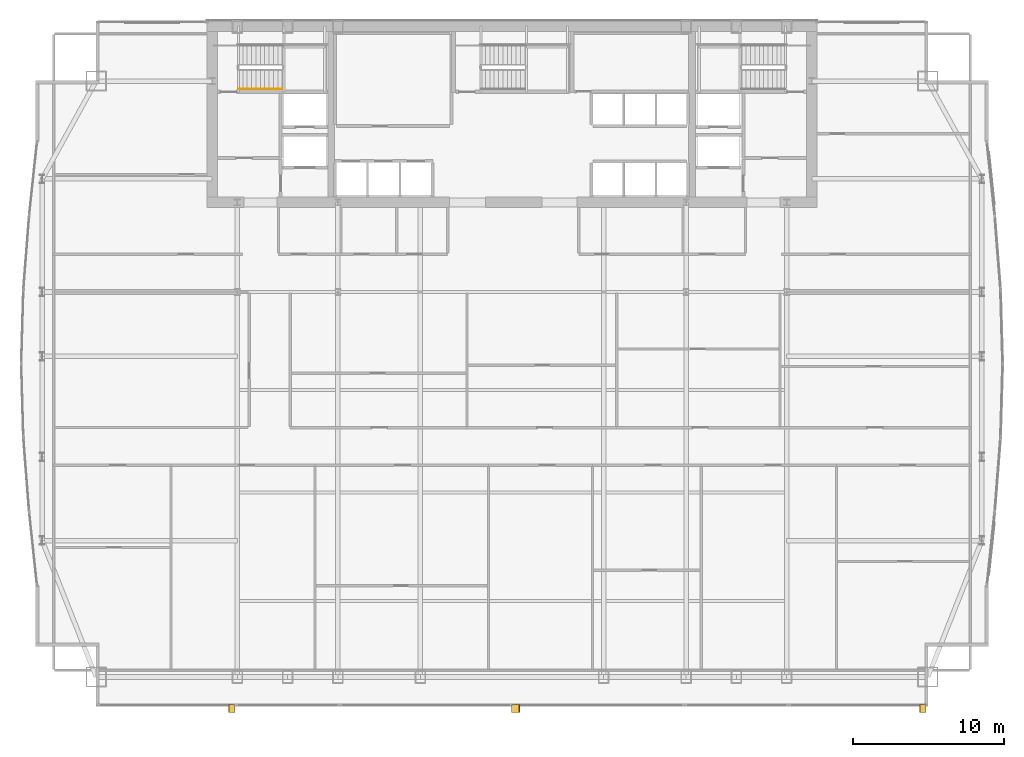
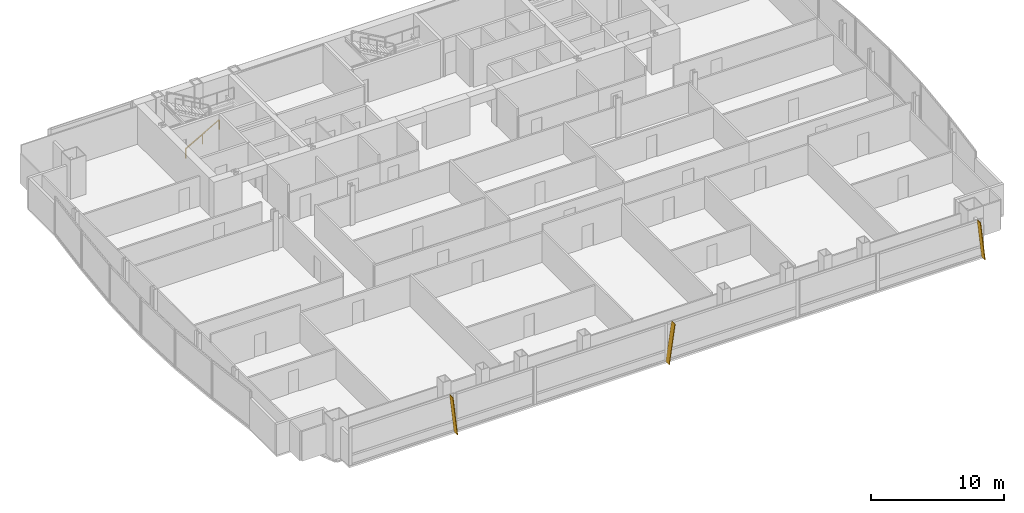
# One storey, part 28 of 29: 3 shading devices, 1 railing.
"""IFC4 building model written with IfcOpenShell, lengths in metres."""

from ifc_helpers import new_model, si_unit, direction, frame, origin, origin_2d, place, context, subcontext, project, spatial, polyline, rectangle, outline, extrude, material, layer, layer_set, type_object, element, save


model = new_model("IFC4")

# Units and contexts
model_context = context("Model", 3, precision=1e-05, world=origin(), true_north=direction((0.0, 1.0)))
body_context = subcontext(model_context, "Body", "Model", "MODEL_VIEW")
ifc_project = project(units=[si_unit("LENGTHUNIT", "METRE"), si_unit("AREAUNIT", "SQUARE_METRE"), si_unit("VOLUMEUNIT", "CUBIC_METRE"), si_unit("PLANEANGLEUNIT", "RADIAN"), si_unit("MASSUNIT", "GRAM", prefix="KILO")], contexts=[model_context])

# Site, building, storey
site_placement = place(None, origin())
site = spatial("IfcSite", under=ifc_project, at=site_placement, CompositionType="ELEMENT")
building_placement = place(site_placement, origin())
building = spatial("IfcBuilding", under=site, at=building_placement, Name="Khoronbel Lancet Exchange", CompositionType="ELEMENT")
storey_placement = place(building_placement, frame((0.0, 0.0, 139.800048828125)))
storey = spatial("IfcBuildingStorey", under=building, at=storey_placement, Name="L34", CompositionType="ELEMENT", Elevation=139.800048828125)

# Railing
ifc_material_1 = material(Name="Brushed Stainless Steel 316", Category="steel")
railing_type = type_object("IfcRailingType", Name="RL-STH92", PredefinedType="HANDRAIL", material=ifc_material_1)
railing_placement = place(storey_placement, frame((18.300048828125, 49.169921875, 0.16357421875)))
element("IfcRailing", 1, at=railing_placement, inside=storey, type_object=railing_type, Name="L34 ST1 stair handrail 1", PredefinedType="HANDRAIL", context=body_context, shape_type="SweptSolid", body=[
    extrude(rectangle(XDim=0.048095703125, YDim=0.048095703125, at=origin_2d()), frame((0.0, 0.0, 0.8759765625), z_axis=(0.870897200241, 0.0, 0.491465224214), x_axis=(0.0, 1.0, 0.0)), (0.0, 0.0, 1.0), 3.329833984375),
    extrude(rectangle(XDim=0.0419921875, YDim=0.0419921875, at=origin_2d()), origin(), (0.0, 0.0, 1.0), 0.851806640625),
    extrude(rectangle(XDim=0.0419921875, YDim=0.0419921875, at=origin_2d()), frame((1.449951171875, 0.0, 0.818359375)), (0.0, 0.0, 1.0), 0.851806640625),
    extrude(rectangle(XDim=0.0419921875, YDim=0.0419921875, at=origin_2d()), frame((2.89990234375, 0.0, 1.636474609375)), (0.0, 0.0, 1.0), 0.851806640625),
])

# Shading devices
ifc_material_2 = material(Name="Bronze-Anodised Aluminium 6063-T6", Category="aluminium")
ifc_layer = layer(ifc_material_2, 0.054931640625, Name="Bronze-Anodised Aluminium 6063-T6")
ifc_layer_set = layer_set([ifc_layer], Name="Bronze-Anodised Aluminium 6063-T6")
shading_device_type = type_object("IfcShadingDeviceType", Name="SHD-FIN1", PredefinedType="USERDEFINED", material=ifc_layer_set)
shading_device_1_placement = place(storey_placement, frame((18.072509765625, 8.31005859375, -0.080078125), z_axis=(0.993900347655, 0.0, 0.110281906632), x_axis=(0.0, -1.0, 0.0)))
element("IfcShadingDevice", 2, at=shading_device_1_placement, inside=storey, type_object=shading_device_type, Name="Slanted bronze solar fin CW-L34-SWV-1", ObjectType="FIN", PredefinedType="USERDEFINED", context=body_context, shape_type="SweptSolid", body=[
    extrude(outline(polyline([(0.0, 0.0), (0.52001953125, 0.0), (0.52001953125, -3.581787109375), (0.0, -3.581787109375), (0.0, 0.0)])), origin(), (0.0, 0.0, -1.0), 0.054931640625),
])
shading_device_2_placement = place(storey_placement, frame((36.422607421875, 8.31005859375, -0.080078125), z_axis=(-0.990092925251, 0.0, 0.140413672296), x_axis=(0.0, -1.0, 0.0)))
element("IfcShadingDevice", 3, at=shading_device_2_placement, inside=storey, type_object=shading_device_type, Name="Slanted bronze solar fin CW-L34-SCV-1", ObjectType="FIN", PredefinedType="USERDEFINED", context=body_context, shape_type="SweptSolid", body=[
    extrude(outline(polyline([(0.0, 0.0), (0.52001953125, 0.0), (0.52001953125, 3.595703125), (0.0, 3.595703125), (0.0, 0.0)])), origin(), (0.0, 0.0, -1.0), 0.054931640625),
])
shading_device_3_placement = place(storey_placement, frame((63.9326171875, 8.31005859375, -0.080078125), z_axis=(0.993900347655, 0.0, 0.110281906632), x_axis=(0.0, -1.0, 0.0)))
element("IfcShadingDevice", 4, at=shading_device_3_placement, inside=storey, type_object=shading_device_type, Name="Slanted bronze solar fin CW-L34-SEV-1", ObjectType="FIN", PredefinedType="USERDEFINED", context=body_context, shape_type="SweptSolid", body=[
    extrude(outline(polyline([(0.0, 0.0), (0.52001953125, 0.0), (0.52001953125, -3.581787109375), (0.0, -3.581787109375), (0.0, 0.0)])), origin(), (0.0, 0.0, -1.0), 0.054931640625),
])

save(model, "model.ifc")
